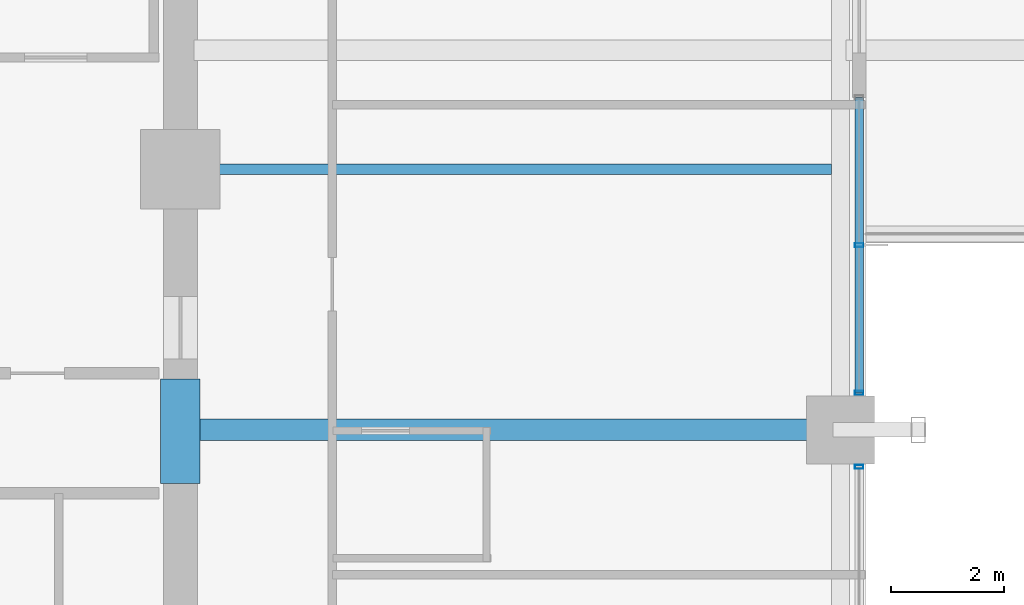
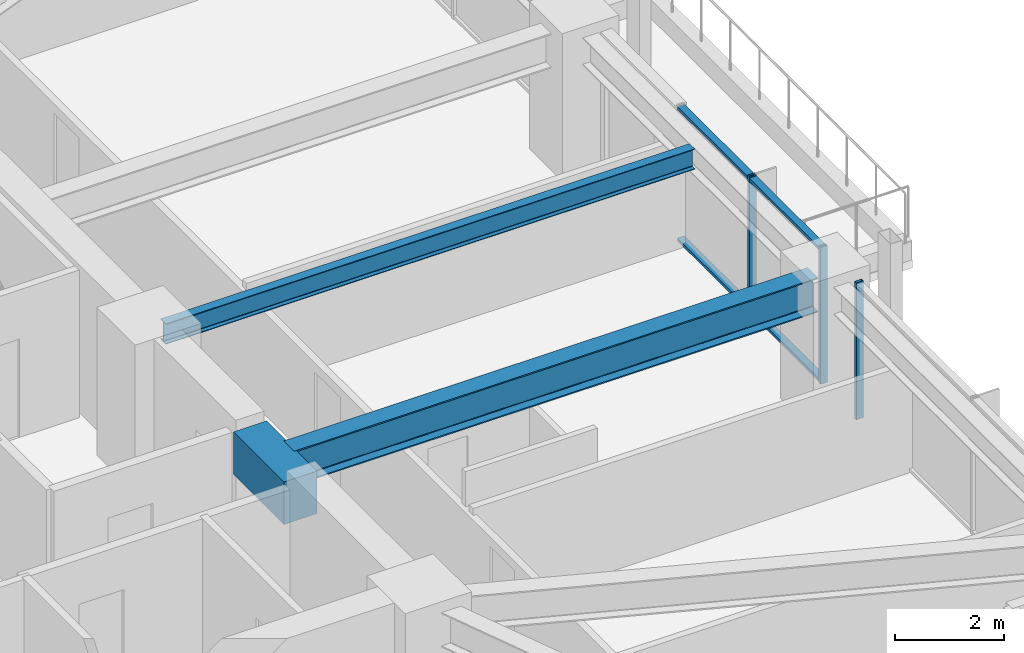
# One storey, part 15 of 38: 5 members, 3 beams, 2 elements without a shape of their own.
"""IFC4 building model written with IfcOpenShell, lengths in metres."""

import ifcopenshell
import ifcopenshell.guid

model = None  # the IFC model being written
_history = None  # IfcOwnerHistory: only IFC2X3 demands one
_inside = {}  # id of a spatial element -> (the spatial element, [elements in it])
_under = {}  # id of a project, library or spatial element -> (it, [spatial elements below it])
_declared = {}  # id of a project -> (the project, [libraries it declares])
_typed = {}  # id of a type object -> (the type object, [elements of that type])
_made_of = {}  # id of a material, layer set ... -> (it, [elements and type objects made of it])


def new_model(schema):
    """Start an empty IFC model of exactly this schema.

    Asked for "IFC4X3", IfcOpenShell would pick the latest addendum, in which some entities
    have other attributes; the version numbers below select the first issue.
    IFC2X3 requires an IfcOwnerHistory on every rooted entity: one is made here for all.
    """
    global model, _history
    if schema == "IFC4X3":
        model = ifcopenshell.file(schema_version=(4, 3, 0, 0))
    else:
        model = ifcopenshell.file(schema=schema)
    _inside.clear()
    _under.clear()
    _declared.clear()
    _typed.clear()
    _made_of.clear()
    _history = None
    if model.schema == "IFC2X3":
        org = make("IfcOrganization", Name="unknown")
        user = make(
            "IfcPersonAndOrganization",
            ThePerson=make("IfcPerson", FamilyName="unknown"),
            TheOrganization=org,
        )
        app = make(
            "IfcApplication",
            ApplicationDeveloper=org,
            Version="unknown",
            ApplicationFullName="unknown",
            ApplicationIdentifier="unknown",
        )
        _history = make(
            "IfcOwnerHistory",
            OwningUser=user,
            OwningApplication=app,
            ChangeAction="ADDED",
            CreationDate=0,
        )
    return model


def make(cls, **values):
    """One entity of the class cls with the attributes given. An attribute that is None is left unset."""
    return model.create_entity(
        cls, **{name: value for name, value in values.items() if value is not None}
    )


def rooted(cls, **values):
    """An entity with a GlobalId (a new one), such as an element, a storey or a relation."""
    return make(cls, GlobalId=ifcopenshell.guid.new(), OwnerHistory=_history, **values)


def si_unit(unit_type, name, prefix=None):
    """IfcSIUnit, for example si_unit("LENGTHUNIT", "METRE", prefix="MILLI")."""
    return make("IfcSIUnit", UnitType=unit_type, Prefix=prefix, Name=name)


def assignment(units):
    """IfcUnitAssignment: the units of a project."""
    return None if units is None else make("IfcUnitAssignment", Units=units)


def point(xyz):
    """IfcCartesianPoint."""
    return None if xyz is None else make("IfcCartesianPoint", Coordinates=xyz)


def direction(xyz):
    """IfcDirection."""
    return None if xyz is None else make("IfcDirection", DirectionRatios=xyz)


def frame(location, z_axis=None, x_axis=None):
    """IfcAxis2Placement3D, a coordinate frame: its origin and axes. An axis left out is left unset."""
    return make(
        "IfcAxis2Placement3D",
        Location=point(location),
        Axis=direction(z_axis),
        RefDirection=direction(x_axis),
    )


def frame_2d(location, x_axis=None):
    """IfcAxis2Placement2D, a coordinate frame in the plane: its origin and x axis."""
    return make(
        "IfcAxis2Placement2D", Location=point(location), RefDirection=direction(x_axis)
    )


def origin():
    """The frame at (0, 0, 0) with its axes left unset."""
    return frame((0.0, 0.0, 0.0))


def origin_2d():
    """The frame at (0, 0) in the plane with its x axis left unset."""
    return frame_2d((0.0, 0.0))


def place(relative_to, where):
    """IfcLocalPlacement: puts the frame where relative to a parent placement (None: the world)."""
    return make(
        "IfcLocalPlacement", PlacementRelTo=relative_to, RelativePlacement=where
    )


def context(
    kind, dimensions, precision=None, world=None, true_north=None, identifier=None
):
    """IfcGeometricRepresentationContext, for example the 3D "Model" context."""
    return make(
        "IfcGeometricRepresentationContext",
        ContextIdentifier=identifier,
        ContextType=kind,
        CoordinateSpaceDimension=dimensions,
        Precision=precision,
        WorldCoordinateSystem=world,
        TrueNorth=true_north,
    )


def subcontext(parent, identifier, kind, view, scale=None):
    """IfcGeometricRepresentationSubContext, for example "Body" below "Model"."""
    return make(
        "IfcGeometricRepresentationSubContext",
        ContextIdentifier=identifier,
        ContextType=kind,
        ParentContext=parent,
        TargetScale=scale,
        TargetView=view,
    )


def project(units=None, contexts=None):
    """IfcProject with its units and contexts."""
    return rooted(
        "IfcProject",
        Name="project",
        RepresentationContexts=contexts,
        UnitsInContext=assignment(units),
    )


def spatial(cls, under=None, at=None, **own):
    """A site, building, storey or space (cls), placed at a placement, below another one or the project."""
    s = rooted(cls, ObjectPlacement=at, **own)
    if under is not None:
        _under.setdefault(under.id(), (under, []))[1].append(s)
    return s


def profile(cls, at=None, kind="AREA", **sizes):
    """A parametric profile (cls). Its sizes go by their IFC names, for example OverallWidth=200.0."""
    return make(cls, ProfileType=kind, Position=at, **sizes)


def rectangle(**sizes):
    """IfcRectangleProfileDef."""
    return profile("IfcRectangleProfileDef", **sizes)


def hollow_rectangle(**sizes):
    """IfcRectangleHollowProfileDef."""
    return profile("IfcRectangleHollowProfileDef", **sizes)


def i_section(**sizes):
    """IfcIShapeProfileDef."""
    return profile("IfcIShapeProfileDef", **sizes)


def extrude(swept, where, along, depth):
    """IfcExtrudedAreaSolid: the profile swept, set in the frame where, extruded along a direction by depth."""
    return make(
        "IfcExtrudedAreaSolid",
        SweptArea=swept,
        Position=where,
        ExtrudedDirection=direction(along),
        Depth=depth,
    )


def shape(context_of_items, identifier, shape_type, items):
    """IfcShapeRepresentation: the items that make up one representation, for example the "Body"."""
    return make(
        "IfcShapeRepresentation",
        ContextOfItems=context_of_items,
        RepresentationIdentifier=identifier,
        RepresentationType=shape_type,
        Items=items,
    )


def material(Name=None, Category=None):
    """IfcMaterial."""
    return make("IfcMaterial", Name=Name, Category=Category)


def material_profile(
    of_material, cross_section, Name=None, Category=None, Priority=None
):
    """IfcMaterialProfile: a cross section and its material."""
    return make(
        "IfcMaterialProfile",
        Name=Name,
        Material=of_material,
        Profile=cross_section,
        Priority=Priority,
        Category=Category,
    )


def profile_set(profiles, Name=None, composite=None):
    """IfcMaterialProfileSet."""
    return make(
        "IfcMaterialProfileSet",
        Name=Name,
        MaterialProfiles=profiles,
        CompositeProfile=composite,
    )


def made_of(thing, what):
    """Note that an element or type object is made of a material, layer set ...; save() writes the relation."""
    if what is not None:
        _made_of.setdefault(what.id(), (what, []))[1].append(thing)
    return thing


def type_object(cls, material=None, **own):
    """A type object (cls), such as IfcWallType, which elements share."""
    return made_of(rooted(cls, **own), material)


def element(
    cls,
    number,
    at=None,
    inside=None,
    cuts=None,
    type_object=None,
    material=None,
    context=None,
    identifier="Body",
    shape_type=None,
    held_by="IfcProductDefinitionShape",
    body=None,
    shapes=None,
    **own,
):
    """One element of the class cls, such as IfcWall. Its Tag is "e" and its number.

    at: its placement. inside: the storey or other place that contains it. cuts: it is an
    opening in that element (IfcRelVoidsElement). A single representation is given by context,
    identifier, shape_type and body (its items); several are given by shapes. held_by: the class
    of the entity that holds the representations. save() writes the other relations.
    """
    e = rooted(cls, Tag="e%d" % number, ObjectPlacement=at, **own)
    if body is not None:
        shapes = [shape(context, identifier, shape_type, body)]
    if shapes is not None:
        e.Representation = make(held_by, Representations=shapes)
    if inside is not None:
        _inside.setdefault(inside.id(), (inside, []))[1].append(e)
    if cuts is not None:
        rooted(
            "IfcRelVoidsElement", RelatingBuildingElement=cuts, RelatedOpeningElement=e
        )
    if type_object is not None:
        _typed.setdefault(type_object.id(), (type_object, []))[1].append(e)
    return made_of(e, material)


def aggregate(whole, parts):
    """IfcRelAggregates: a whole, such as a stair, and the parts it consists of."""
    return rooted("IfcRelAggregates", RelatingObject=whole, RelatedObjects=parts)


def save(model, path):
    """Write the relations noted so far, then the file.

    IfcRelAggregates (storeys below a building ...), IfcRelContainedInSpatialStructure (elements
    in a storey), IfcRelDefinesByType, IfcRelAssociatesMaterial and IfcRelDeclares: one each for
    every whole, place, type object, material and project.
    """
    for whole, parts in _under.values():
        aggregate(whole, parts)
    for where, things in _inside.values():
        rooted(
            "IfcRelContainedInSpatialStructure",
            RelatedElements=things,
            RelatingStructure=where,
        )
    for kind, things in _typed.values():
        rooted("IfcRelDefinesByType", RelatedObjects=things, RelatingType=kind)
    for what, things in _made_of.values():
        rooted("IfcRelAssociatesMaterial", RelatedObjects=things, RelatingMaterial=what)
    for by, libraries in _declared.values():
        rooted("IfcRelDeclares", RelatingContext=by, RelatedDefinitions=libraries)
    model.write(path)


model = new_model("IFC4")

# Units and contexts
model_context = context("Model", 3, precision=1e-05, world=origin(), true_north=direction((0.0, 1.0)))
body_context = subcontext(model_context, "Body", "Model", "MODEL_VIEW")
ifc_project = project(units=[si_unit("LENGTHUNIT", "METRE"), si_unit("AREAUNIT", "SQUARE_METRE"), si_unit("VOLUMEUNIT", "CUBIC_METRE"), si_unit("PLANEANGLEUNIT", "RADIAN"), si_unit("MASSUNIT", "GRAM", prefix="KILO")], contexts=[model_context])

# Site, building, storey
site_placement = place(None, origin())
site = spatial("IfcSite", under=ifc_project, at=site_placement, CompositionType="ELEMENT")
building_placement = place(site_placement, origin())
building = spatial("IfcBuilding", under=site, at=building_placement, Name="Kolvaren Belvedere", CompositionType="ELEMENT")
storey_placement = place(building_placement, frame((0.0, 0.0, 53.5)))
storey = spatial("IfcBuildingStorey", under=building, at=storey_placement, Name="L15", CompositionType="ELEMENT", Elevation=53.5)

# Beams
ifc_material_1 = material(Name="Structural steel ASTM A992 Grade 50", Category="steel")
ifc_material_profile_1 = material_profile(ifc_material_1, i_section(OverallWidth=0.381103515625, OverallDepth=0.77294921875, WebThickness=0.0166015625, FlangeThickness=0.027099609375, FilletRadius=0.02392578125, at=origin_2d()), Name="W30X173")
ifc_profile_set_1 = profile_set([ifc_material_profile_1], Name="Structural steel ASTM A992 Grade 50")
beam_type_1 = type_object("IfcBeamType", Name="BM-GIRD-W30X173", PredefinedType="BEAM", material=ifc_profile_set_1)
beam_1_placement = place(storey_placement, frame((10.199951171875, -4.60009765625, 2.673583984375), z_axis=(1.0, 0.0, 0.0), x_axis=(0.0, 1.0, 0.0)))
element("IfcBeam", 1, at=beam_1_placement, inside=storey, type_object=beam_type_1, Name="L15 East Radial Girder M", PredefinedType="BEAM", context=body_context, shape_type="SweptSolid", body=[
    extrude(i_section(OverallWidth=0.381103515625, OverallDepth=0.77294921875, WebThickness=0.0166015625, FlangeThickness=0.027099609375, FilletRadius=0.02392578125, at=origin_2d()), origin(), (0.0, 0.0, 1.0), 11.080078125),
])
ifc_material_2 = material(Name="Structural steel ASTM A992 Grade 50", Category="steel")
ifc_material_profile_2 = material_profile(ifc_material_2, i_section(OverallWidth=0.19091796875, OverallDepth=0.4599609375, WebThickness=0.010009765625, FlangeThickness=0.01611328125, FilletRadius=0.014892578125, at=origin_2d()), Name="W18X55")
ifc_profile_set_2 = profile_set([ifc_material_profile_2], Name="Structural steel ASTM A992 Grade 50")
beam_type_2 = type_object("IfcBeamType", Name="BM-JOIST-W18X55", PredefinedType="BEAM", material=ifc_profile_set_2)
beam_2_placement = place(storey_placement, frame((10.199951171875, 0.0, 2.830078125), z_axis=(1.0, 0.0, 0.0), x_axis=(0.0, 1.0, 0.0)))
element("IfcBeam", 2, at=beam_2_placement, inside=storey, type_object=beam_type_2, Name="L15 East Centre Floor Beam", PredefinedType="BEAM", context=body_context, shape_type="SweptSolid", body=[
    extrude(i_section(OverallWidth=0.19091796875, OverallDepth=0.4599609375, WebThickness=0.010009765625, FlangeThickness=0.01611328125, FilletRadius=0.014892578125, at=origin_2d()), origin(), (0.0, 0.0, 1.0), 11.1875),
])
ifc_material_3 = material(Name="Concrete C60/75", Category="concrete")
ifc_material_profile_3 = material_profile(ifc_material_3, rectangle(XDim=0.699951171875, YDim=0.949951171875, at=origin_2d()), Name="RC 700X950")
ifc_profile_set_3 = profile_set([ifc_material_profile_3], Name="Concrete C60/75")
beam_type_3 = type_object("IfcBeamType", Name="BM-LINT-950", PredefinedType="LINTEL", material=ifc_profile_set_3)
beam_3_placement = place(storey_placement, frame((9.89990234375, -5.550048828125, 2.5849609375), z_axis=(0.0, 1.0, 0.0), x_axis=(-1.0, 0.0, 0.0)))
element("IfcBeam", 3, at=beam_3_placement, inside=storey, type_object=beam_type_3, Name="L15 East Core Coupling Lintel", PredefinedType="LINTEL", context=body_context, shape_type="SweptSolid", body=[
    extrude(rectangle(XDim=0.699951171875, YDim=0.949951171875, at=origin_2d()), origin(), (0.0, 0.0, 1.0), 1.85009765625),
])

# Curtain wall, members
ifc_material_4 = material(Name="Anodised pale-metal aluminium AA 6063-T6", Category="aluminium")
curtain_wall_type = type_object("IfcCurtainWallType", Name="CW-Z1-LOW", PredefinedType="NOTDEFINED", material=ifc_material_4)
curtain_wall_1_placement = place(storey_placement, origin())
curtain_wall_1 = element("IfcCurtainWall", 4, at=curtain_wall_1_placement, inside=storey, type_object=curtain_wall_type, Name="L15 Unitised Curtain Wall FCW-L15-E2-B1", PredefinedType="NOTDEFINED")
ifc_material_5 = material(Name="Anodised pale-metal aluminium AA 6063-T6", Category="aluminium")
ifc_material_profile_4 = material_profile(ifc_material_5, hollow_rectangle(XDim=0.070068359375, YDim=0.14990234375, WallThickness=0.004150390625, at=origin_2d()), Name="ALU-MUL-150X70")
ifc_profile_set_4 = profile_set([ifc_material_profile_4], Name="Anodised pale-metal aluminium AA 6063-T6")
member_type_1 = type_object("IfcMemberType", Name="CW-MUL-150", PredefinedType="MULLION", material=ifc_profile_set_4)
member_1_placement = place(storey_placement, frame((21.8798828125, -1.33740234375, 0.0), z_axis=(0.0, 0.0, 1.0), x_axis=(0.0, 1.0, 0.0)))
member_1 = element("IfcMember", 5, at=member_1_placement, type_object=member_type_1, Name="FCW-L15-E2-B1 Unitised Mullion 2", PredefinedType="MULLION", context=body_context, shape_type="SweptSolid", body=[
    extrude(hollow_rectangle(XDim=0.070068359375, YDim=0.14990234375, WallThickness=0.004150390625, at=origin_2d()), origin(), (0.0, 0.0, 1.0), 3.06005859375),
])
member_2_placement = place(storey_placement, frame((21.8798828125, -3.945068359375, 0.0), z_axis=(0.0, 0.0, 1.0), x_axis=(0.0, 1.0, 0.0)))
member_2 = element("IfcMember", 6, at=member_2_placement, type_object=member_type_1, Name="FCW-L15-E2-B1 Unitised Mullion 3", PredefinedType="MULLION", context=body_context, shape_type="SweptSolid", body=[
    extrude(hollow_rectangle(XDim=0.070068359375, YDim=0.14990234375, WallThickness=0.004150390625, at=origin_2d()), origin(), (0.0, 0.0, 1.0), 3.06005859375),
])

# Curtain wall, member
curtain_wall_2_placement = place(storey_placement, origin())
curtain_wall_2 = element("IfcCurtainWall", 7, at=curtain_wall_2_placement, inside=storey, type_object=curtain_wall_type, Name="L15 Unitised Curtain Wall FCW-L15-E2-B2", PredefinedType="NOTDEFINED")
member_3_placement = place(storey_placement, frame((21.8798828125, -5.2548828125, 0.0), z_axis=(0.0, 0.0, 1.0), x_axis=(0.0, 1.0, 0.0)))
member_3 = element("IfcMember", 8, at=member_3_placement, type_object=member_type_1, Name="FCW-L15-E2-B2 Unitised Mullion 1", PredefinedType="MULLION", context=body_context, shape_type="SweptSolid", body=[
    extrude(hollow_rectangle(XDim=0.070068359375, YDim=0.14990234375, WallThickness=0.004150390625, at=origin_2d()), origin(), (0.0, 0.0, 1.0), 3.06005859375),
])
aggregate(curtain_wall_2, [member_3])

# Member
ifc_material_6 = material(Name="Anodised pale-metal aluminium AA 6063-T6", Category="aluminium")
ifc_material_profile_5 = material_profile(ifc_material_6, hollow_rectangle(XDim=0.06494140625, YDim=0.14990234375, WallThickness=0.00390625, at=origin_2d()), Name="ALU-TRN-150X65")
ifc_profile_set_5 = profile_set([ifc_material_profile_5], Name="Anodised pale-metal aluminium AA 6063-T6")
member_type_2 = type_object("IfcMemberType", Name="CW-TRN-150", PredefinedType="USERDEFINED", material=ifc_profile_set_5)
member_4_placement = place(storey_placement, frame((21.8798828125, 1.27001953125, 0.06005859375), z_axis=(0.0, -1.0, 0.0), x_axis=(0.0, 0.0, 1.0)))
member_4 = element("IfcMember", 9, at=member_4_placement, type_object=member_type_2, Name="FCW-L15-E2-B1 Sill Transom", ObjectType="TRANSOM", PredefinedType="USERDEFINED", context=body_context, shape_type="SweptSolid", body=[
    extrude(hollow_rectangle(XDim=0.06494140625, YDim=0.14990234375, WallThickness=0.00390625, at=origin_2d()), origin(), (0.0, 0.0, 1.0), 5.215087890625),
])

member_5_placement = place(storey_placement, frame((21.8798828125, 1.27001953125, 3.0), z_axis=(0.0, -1.0, 0.0), x_axis=(0.0, 0.0, 1.0)))
member_5 = element("IfcMember", 10, at=member_5_placement, type_object=member_type_2, Name="FCW-L15-E2-B1 Head Transom", ObjectType="TRANSOM", PredefinedType="USERDEFINED", context=body_context, shape_type="SweptSolid", body=[
    extrude(hollow_rectangle(XDim=0.06494140625, YDim=0.14990234375, WallThickness=0.00390625, at=origin_2d()), origin(), (0.0, 0.0, 1.0), 5.215087890625),
])

aggregate(curtain_wall_1, [member_1, member_2, member_4, member_5])

save(model, "model.ifc")
